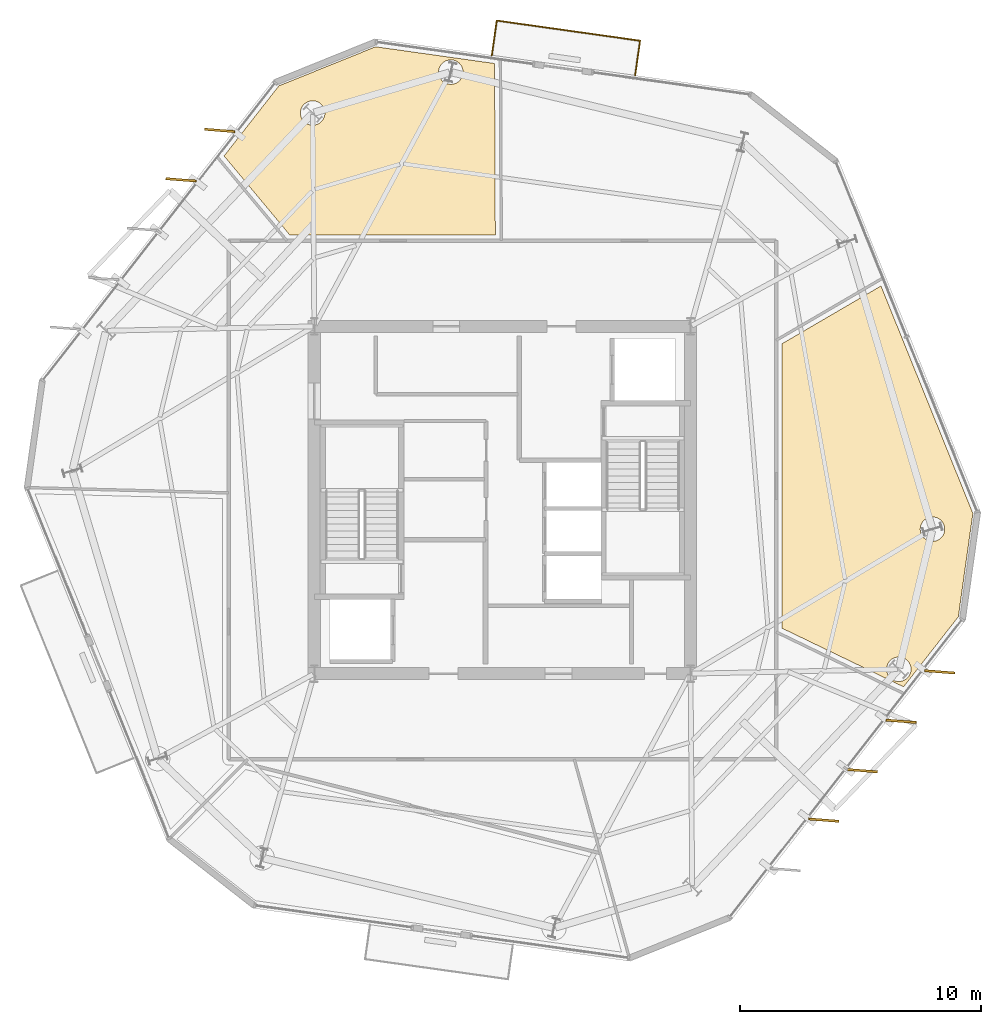
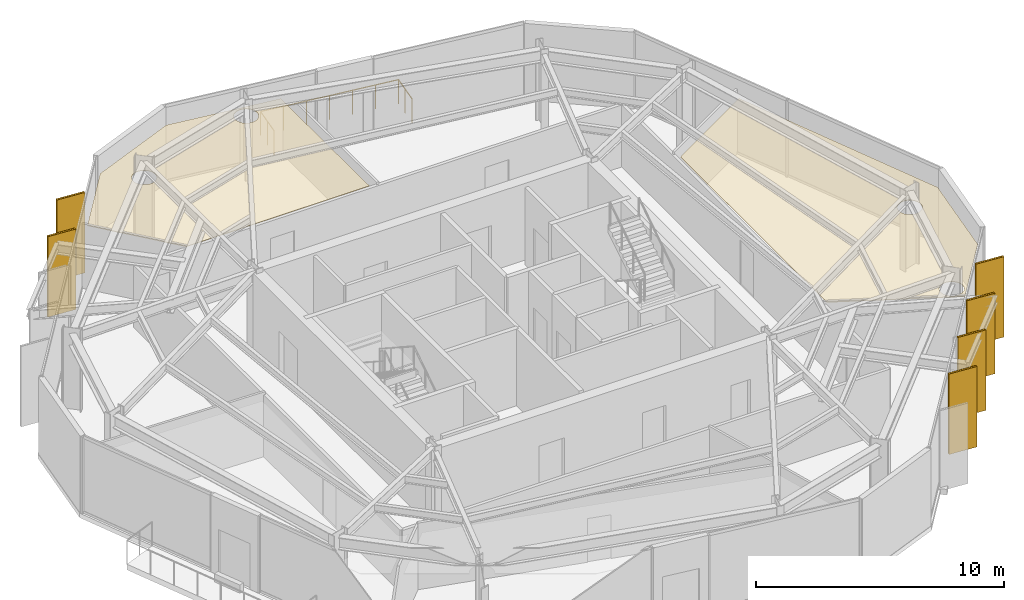
# One storey, part 11 of 11: 8 coverings, 6 shading devices, 1 railing.
"""IFC4 building model written with IfcOpenShell, lengths in metres."""

from ifc_helpers import new_model, si_unit, direction, frame, origin, origin_2d, place, context, subcontext, project, spatial, polyline, rectangle, circle, outline, extrude, material, layer, layer_set, type_object, element, save


model = new_model("IFC4")

# Units and contexts
model_context = context("Model", 3, precision=1e-05, world=origin(), true_north=direction((0.0, 1.0)))
body_context = subcontext(model_context, "Body", "Model", "MODEL_VIEW")
ifc_project = project(units=[si_unit("LENGTHUNIT", "METRE"), si_unit("AREAUNIT", "SQUARE_METRE"), si_unit("VOLUMEUNIT", "CUBIC_METRE"), si_unit("PLANEANGLEUNIT", "RADIAN"), si_unit("MASSUNIT", "GRAM", prefix="KILO")], contexts=[model_context])

# Site, building, storey
site_placement = place(None, origin())
site = spatial("IfcSite", under=ifc_project, at=site_placement, CompositionType="ELEMENT")
building_placement = place(site_placement, origin())
building = spatial("IfcBuilding", under=site, at=building_placement, Name="Kranzbogen Civic Tower", CompositionType="ELEMENT")
storey_placement = place(building_placement, frame((0.0, 0.0, 232.800048828125)))
storey = spatial("IfcBuildingStorey", under=building, at=storey_placement, Name="L56", CompositionType="ELEMENT", Elevation=232.800048828125)

# Coverings
ifc_material_1 = material(Name="Pale Anodised Aluminium", Category="aluminium")
ifc_layer_1 = layer(ifc_material_1, 0.02490234375, Name="Pale Anodised Aluminium")
ifc_layer_set_1 = layer_set([ifc_layer_1], Name="Pale Anodised Aluminium")
covering_type_1 = type_object("IfcCoveringType", Name="Anodised Aluminium Vertical Fin Cladding 25 mm", PredefinedType="CLADDING", material=ifc_layer_set_1)
for number, where, z_axis, x_axis, name in (
    (1, (13.27587890625, 40.321044921875, -0.14013671875), (0.0, 0.0, 1.0), (-0.996963716769, 0.077867499294, 0.0), "L56 vertical fin pale-metal cladding F2-1"),
    (2, (11.675048828125, 38.27197265625, -0.14013671875), (0.0, 0.0, 1.0), (-0.996963716769, 0.077867499294, 0.0), "L56 vertical fin pale-metal cladding F2-2"),
    (3, (38.324951171875, 11.72802734375, -0.14013671875), (0.0, 0.0, 1.0), (0.996963716769, -0.077867499294, 0.0), "L56 vertical fin pale-metal cladding F5-2"),
    (4, (39.925048828125, 13.777099609375, -0.14013671875), (0.0, 0.0, 1.0), (0.996963716769, -0.077867499294, 0.0), "L56 vertical fin pale-metal cladding F5-3"),
    (5, (41.52587890625, 15.825927734375, -0.14013671875), (0.0, 0.0, 1.0), (0.996963716769, -0.077867499294, 0.0), "L56 vertical fin pale-metal cladding F5-4"),
    (6, (43.126953125, 17.875, -0.14013671875), (0.0, 0.0, 1.0), (0.996963716769, -0.077867499294, 0.0), "L56 vertical fin pale-metal cladding F5-5"),
):
    element("IfcCovering", number, at=place(storey_placement, frame(where, z_axis=z_axis, x_axis=x_axis)), inside=storey, type_object=covering_type_1, Name=name, PredefinedType="CLADDING", context=body_context, shape_type="SweptSolid", body=[
        extrude(rectangle(XDim=1.25, YDim=0.10009765625, at=origin_2d()), origin(), (0.0, 0.0, 1.0), 3.9599609375),
    ])

# Shading devices
ifc_material_2 = material(Name="Anodised Bronze Aluminium", Category="aluminium")
shading_device_type = type_object("IfcShadingDeviceType", Name="Anodised Bronze Vertical Facade Fin 1250x80", PredefinedType="USERDEFINED", material=ifc_material_2)
for number, where, z_axis, x_axis, name in (
    (7, (13.27587890625, 40.321044921875, -0.14013671875), (0.0, 0.0, 1.0), (-0.996963716769, 0.077867499294, 0.0), "L56 vertical exterior shading fin F2-1"),
    (8, (11.675048828125, 38.27197265625, -0.14013671875), (0.0, 0.0, 1.0), (-0.996963716769, 0.077867499294, 0.0), "L56 vertical exterior shading fin F2-2"),
    (9, (38.324951171875, 11.72802734375, -0.14013671875), (0.0, 0.0, 1.0), (0.996963716769, -0.077867499294, 0.0), "L56 vertical exterior shading fin F5-2"),
    (10, (39.925048828125, 13.777099609375, -0.14013671875), (0.0, 0.0, 1.0), (0.996963716769, -0.077867499294, 0.0), "L56 vertical exterior shading fin F5-3"),
    (11, (41.52587890625, 15.825927734375, -0.14013671875), (0.0, 0.0, 1.0), (0.996963716769, -0.077867499294, 0.0), "L56 vertical exterior shading fin F5-4"),
    (12, (43.126953125, 17.875, -0.14013671875), (0.0, 0.0, 1.0), (0.996963716769, -0.077867499294, 0.0), "L56 vertical exterior shading fin F5-5"),
):
    element("IfcShadingDevice", number, at=place(storey_placement, frame(where, z_axis=z_axis, x_axis=x_axis)), inside=storey, type_object=shading_device_type, Name=name, ObjectType="FIN", PredefinedType="USERDEFINED", context=body_context, shape_type="SweptSolid", body=[
        extrude(rectangle(XDim=1.25, YDim=0.080078125, at=origin_2d()), origin(), (0.0, 0.0, 1.0), 3.9599609375),
    ])

# Railing
railing_type = type_object("IfcRailingType", Name="Cantilevered Balcony Glass and Bronze Balustrade 1200", PredefinedType="BALUSTRADE", material=ifc_material_2)
railing_placement = place(storey_placement, frame((30.50390625, 42.60498046875, 0.0)))
element("IfcRailing", 13, at=railing_placement, inside=storey, type_object=railing_type, Name="L56 exterior terrace balustrade L56-TB1", PredefinedType="BALUSTRADE", context=body_context, shape_type="SweptSolid", body=[
    extrude(circle(Radius=0.02392578125, at=origin_2d()), frame((0.0, 0.0, 1.17578125), z_axis=(0.139394121125, 0.99023698123, 0.0), x_axis=(-0.99023698123, 0.139394121125, 0.0)), (0.0, 0.0, 1.0), 1.4501953125),
    extrude(circle(Radius=0.02392578125, at=origin_2d()), frame((0.2021484375, 1.43603515625, 1.17578125), z_axis=(-0.990271563932, 0.139148229124, 0.0), x_axis=(-0.139148229124, -0.990271563932, 0.0)), (0.0, 0.0, 1.0), 6.00048828125),
    extrude(circle(Radius=0.02392578125, at=origin_2d()), frame((-5.739990234375, 2.27099609375, 1.17578125), z_axis=(-0.139229036098, -0.99026020596, 0.0), x_axis=(0.99026020596, -0.139229036098, 0.0)), (0.0, 0.0, 1.0), 1.4501953125),
    extrude(circle(Radius=0.02099609375, at=origin_2d()), origin(), (0.0, 0.0, 1.0), 1.15185546875),
    extrude(circle(Radius=0.02099609375, at=origin_2d()), frame((0.10107421875, 0.718017578125, 0.0)), (0.0, 0.0, 1.0), 1.15185546875),
    extrude(circle(Radius=0.02099609375, at=origin_2d()), frame((0.2021484375, 1.43603515625, 0.0)), (0.0, 0.0, 1.0), 1.15185546875),
    extrude(circle(Radius=0.02099609375, at=origin_2d()), frame((-0.7880859375, 1.5751953125, 0.0)), (0.0, 0.0, 1.0), 1.15185546875),
    extrude(circle(Radius=0.02099609375, at=origin_2d()), frame((-1.778564453125, 1.71435546875, 0.0)), (0.0, 0.0, 1.0), 1.15185546875),
    extrude(circle(Radius=0.02099609375, at=origin_2d()), frame((-2.76904296875, 1.853515625, 0.0)), (0.0, 0.0, 1.0), 1.15185546875),
    extrude(circle(Radius=0.02099609375, at=origin_2d()), frame((-3.75927734375, 1.99267578125, 0.0)), (0.0, 0.0, 1.0), 1.15185546875),
    extrude(circle(Radius=0.02099609375, at=origin_2d()), frame((-4.74951171875, 2.1318359375, 0.0)), (0.0, 0.0, 1.0), 1.15185546875),
    extrude(circle(Radius=0.02099609375, at=origin_2d()), frame((-5.739990234375, 2.27099609375, 0.0)), (0.0, 0.0, 1.0), 1.15185546875),
    extrude(circle(Radius=0.02099609375, at=origin_2d()), frame((-5.8408203125, 1.552978515625, 0.0)), (0.0, 0.0, 1.0), 1.15185546875),
    extrude(circle(Radius=0.02099609375, at=origin_2d()), frame((-5.94189453125, 0.8349609375, 0.0)), (0.0, 0.0, 1.0), 1.15185546875),
])

# Coverings
ifc_material_3 = material(Name="Perforated Acoustic Gypsum Ceiling")
ifc_layer_2 = layer(ifc_material_3, 0.02490234375, Name="Perforated Acoustic Gypsum Ceiling")
ifc_layer_set_2 = layer_set([ifc_layer_2], Name="Perforated Acoustic Gypsum Ceiling")
covering_type_2 = type_object("IfcCoveringType", Name="Perforated Acoustic Mineral Ceiling Tile 25 mm", PredefinedType="CEILING", material=ifc_layer_set_2)
covering_1_placement = place(storey_placement, frame((0.0, 0.0, 2.89990234375)))
element("IfcCovering", 14, at=covering_1_placement, inside=storey, type_object=covering_type_2, Name="L56 Central Mail Post Room acoustic ceiling", PredefinedType="CEILING", context=body_context, shape_type="SweptSolid", body=[
    extrude(outline(polyline([(43.90087890625, 20.158935546875), (41.631103515625, 17.25390625), (36.594970703125, 19.681884765625), (36.594970703125, 31.48095703125), (40.694091796875, 33.873046875), (44.50390625, 24.443115234375), (43.90087890625, 20.158935546875)]), holes=[polyline([(41.902099609375, 17.7900390625), (41.8798828125, 17.7451171875), (41.85498046875, 17.701904296875), (41.824951171875, 17.662109375), (41.7919921875, 17.625), (41.7548828125, 17.592041015625), (41.715087890625, 17.56201171875), (41.672119140625, 17.537109375), (41.626953125, 17.514892578125), (41.580078125, 17.4990234375), (41.531982421875, 17.487060546875), (41.48291015625, 17.47900390625), (41.43310546875, 17.47705078125), (41.383056640625, 17.47900390625), (41.333984375, 17.487060546875), (41.285888671875, 17.4990234375), (41.239013671875, 17.514892578125), (41.194091796875, 17.537109375), (41.15087890625, 17.56201171875), (41.111083984375, 17.592041015625), (41.073974609375, 17.625), (41.041015625, 17.662109375), (41.010986328125, 17.701904296875), (40.986083984375, 17.7451171875), (40.964111328125, 17.7900390625), (40.947998046875, 17.8369140625), (40.93603515625, 17.885009765625), (40.927978515625, 17.93408203125), (40.926025390625, 17.98388671875), (40.927978515625, 18.033935546875), (40.93603515625, 18.0830078125), (40.947998046875, 18.131103515625), (40.964111328125, 18.177978515625), (40.986083984375, 18.222900390625), (41.010986328125, 18.26611328125), (41.041015625, 18.305908203125), (41.073974609375, 18.343017578125), (41.111083984375, 18.3759765625), (41.15087890625, 18.406005859375), (41.194091796875, 18.430908203125), (41.239013671875, 18.452880859375), (41.285888671875, 18.468994140625), (41.333984375, 18.48095703125), (41.383056640625, 18.489013671875), (41.43310546875, 18.490966796875), (41.48291015625, 18.489013671875), (41.531982421875, 18.48095703125), (41.580078125, 18.468994140625), (41.626953125, 18.452880859375), (41.672119140625, 18.430908203125), (41.715087890625, 18.406005859375), (41.7548828125, 18.3759765625), (41.7919921875, 18.343017578125), (41.824951171875, 18.305908203125), (41.85498046875, 18.26611328125), (41.8798828125, 18.222900390625), (41.902099609375, 18.177978515625), (41.91796875, 18.131103515625), (41.929931640625, 18.0830078125), (41.93798828125, 18.033935546875), (41.93994140625, 17.98388671875), (41.93798828125, 17.93408203125), (41.929931640625, 17.885009765625), (41.91796875, 17.8369140625), (41.902099609375, 17.7900390625)]), polyline([(43.297119140625, 23.596923828125), (43.27490234375, 23.552001953125), (43.25, 23.509033203125), (43.219970703125, 23.468994140625), (43.18701171875, 23.431884765625), (43.14990234375, 23.39892578125), (43.110107421875, 23.368896484375), (43.06689453125, 23.343994140625), (43.02197265625, 23.322021484375), (42.97509765625, 23.305908203125), (42.927001953125, 23.2939453125), (42.8779296875, 23.285888671875), (42.827880859375, 23.283935546875), (42.778076171875, 23.285888671875), (42.72900390625, 23.2939453125), (42.680908203125, 23.305908203125), (42.634033203125, 23.322021484375), (42.589111328125, 23.343994140625), (42.5458984375, 23.368896484375), (42.506103515625, 23.39892578125), (42.468994140625, 23.431884765625), (42.43603515625, 23.468994140625), (42.406005859375, 23.509033203125), (42.381103515625, 23.552001953125), (42.35888671875, 23.596923828125), (42.343017578125, 23.64404296875), (42.3310546875, 23.69189453125), (42.322998046875, 23.740966796875), (42.321044921875, 23.791015625), (42.322998046875, 23.841064453125), (42.3310546875, 23.889892578125), (42.343017578125, 23.93798828125), (42.35888671875, 23.985107421875), (42.381103515625, 24.030029296875), (42.406005859375, 24.072998046875), (42.43603515625, 24.113037109375), (42.468994140625, 24.14990234375), (42.506103515625, 24.18310546875), (42.5458984375, 24.212890625), (42.589111328125, 24.238037109375), (42.634033203125, 24.260009765625), (42.680908203125, 24.27587890625), (42.72900390625, 24.2880859375), (42.778076171875, 24.2958984375), (42.827880859375, 24.298095703125), (42.8779296875, 24.2958984375), (42.927001953125, 24.2880859375), (42.97509765625, 24.27587890625), (43.02197265625, 24.260009765625), (43.06689453125, 24.238037109375), (43.110107421875, 24.212890625), (43.14990234375, 24.18310546875), (43.18701171875, 24.14990234375), (43.219970703125, 24.113037109375), (43.25, 24.072998046875), (43.27490234375, 24.030029296875), (43.297119140625, 23.985107421875), (43.31298828125, 23.93798828125), (43.324951171875, 23.889892578125), (43.3330078125, 23.841064453125), (43.3349609375, 23.791015625), (43.3330078125, 23.740966796875), (43.324951171875, 23.69189453125), (43.31298828125, 23.64404296875), (43.297119140625, 23.596923828125)])]), origin(), (0.0, 0.0, 1.0), 0.025146484375),
])
covering_2_placement = place(storey_placement, frame((0.0, 0.0, 2.89990234375)))
element("IfcCovering", 15, at=covering_2_placement, inside=storey, type_object=covering_type_2, Name="L56 Staff Tea Pantry acoustic ceiling", PredefinedType="CEILING", context=body_context, shape_type="SweptSolid", body=[
    extrude(outline(polyline([(19.740966796875, 43.7900390625), (24.673095703125, 43.096923828125), (24.705078125, 35.9951171875), (16.177001953125, 35.9951171875), (13.4599609375, 39.262939453125), (15.73095703125, 42.1689453125), (19.740966796875, 43.7900390625)]), holes=[polyline([(17.60205078125, 40.85009765625), (17.580078125, 40.804931640625), (17.554931640625, 40.761962890625), (17.52490234375, 40.721923828125), (17.491943359375, 40.68505859375), (17.455078125, 40.652099609375), (17.4150390625, 40.6220703125), (17.3720703125, 40.596923828125), (17.326904296875, 40.574951171875), (17.280029296875, 40.55908203125), (17.23193359375, 40.547119140625), (17.18310546875, 40.5390625), (17.133056640625, 40.537109375), (17.0830078125, 40.5390625), (17.033935546875, 40.547119140625), (16.986083984375, 40.55908203125), (16.93896484375, 40.574951171875), (16.89404296875, 40.596923828125), (16.85107421875, 40.6220703125), (16.81103515625, 40.652099609375), (16.77392578125, 40.68505859375), (16.740966796875, 40.721923828125), (16.7109375, 40.761962890625), (16.68603515625, 40.804931640625), (16.6640625, 40.85009765625), (16.64794921875, 40.89697265625), (16.635986328125, 40.945068359375), (16.6279296875, 40.993896484375), (16.6259765625, 41.0439453125), (16.6279296875, 41.093994140625), (16.635986328125, 41.14306640625), (16.64794921875, 41.19091796875), (16.6640625, 41.238037109375), (16.68603515625, 41.282958984375), (16.7109375, 41.325927734375), (16.740966796875, 41.365966796875), (16.77392578125, 41.403076171875), (16.81103515625, 41.43603515625), (16.85107421875, 41.466064453125), (16.89404296875, 41.490966796875), (16.93896484375, 41.512939453125), (16.986083984375, 41.529052734375), (17.033935546875, 41.541015625), (17.0830078125, 41.549072265625), (17.133056640625, 41.551025390625), (17.18310546875, 41.549072265625), (17.23193359375, 41.541015625), (17.280029296875, 41.529052734375), (17.326904296875, 41.512939453125), (17.3720703125, 41.490966796875), (17.4150390625, 41.466064453125), (17.455078125, 41.43603515625), (17.491943359375, 41.403076171875), (17.52490234375, 41.365966796875), (17.554931640625, 41.325927734375), (17.580078125, 41.282958984375), (17.60205078125, 41.238037109375), (17.617919921875, 41.19091796875), (17.6298828125, 41.14306640625), (17.637939453125, 41.093994140625), (17.639892578125, 41.0439453125), (17.637939453125, 40.993896484375), (17.6298828125, 40.945068359375), (17.617919921875, 40.89697265625), (17.60205078125, 40.85009765625)]), polyline([(23.3291015625, 42.5458984375), (23.306884765625, 42.5009765625), (23.281982421875, 42.4580078125), (23.251953125, 42.41796875), (23.218994140625, 42.381103515625), (23.181884765625, 42.347900390625), (23.14208984375, 42.318115234375), (23.09912109375, 42.29296875), (23.053955078125, 42.27099609375), (23.007080078125, 42.2548828125), (22.958984375, 42.242919921875), (22.909912109375, 42.235107421875), (22.860107421875, 42.23291015625), (22.81005859375, 42.235107421875), (22.760986328125, 42.242919921875), (22.712890625, 42.2548828125), (22.666015625, 42.27099609375), (22.62109375, 42.29296875), (22.577880859375, 42.318115234375), (22.5380859375, 42.347900390625), (22.5009765625, 42.381103515625), (22.468017578125, 42.41796875), (22.43798828125, 42.4580078125), (22.4130859375, 42.5009765625), (22.39111328125, 42.5458984375), (22.375, 42.593017578125), (22.363037109375, 42.64111328125), (22.35498046875, 42.68994140625), (22.35302734375, 42.739990234375), (22.35498046875, 42.7900390625), (22.363037109375, 42.839111328125), (22.375, 42.886962890625), (22.39111328125, 42.93408203125), (22.4130859375, 42.97900390625), (22.43798828125, 43.02197265625), (22.468017578125, 43.06201171875), (22.5009765625, 43.09912109375), (22.5380859375, 43.132080078125), (22.577880859375, 43.162109375), (22.62109375, 43.18701171875), (22.666015625, 43.208984375), (22.712890625, 43.22509765625), (22.760986328125, 43.237060546875), (22.81005859375, 43.2451171875), (22.860107421875, 43.2470703125), (22.909912109375, 43.2451171875), (22.958984375, 43.237060546875), (23.007080078125, 43.22509765625), (23.053955078125, 43.208984375), (23.09912109375, 43.18701171875), (23.14208984375, 43.162109375), (23.181884765625, 43.132080078125), (23.218994140625, 43.09912109375), (23.251953125, 43.06201171875), (23.281982421875, 43.02197265625), (23.306884765625, 42.97900390625), (23.3291015625, 42.93408203125), (23.344970703125, 42.886962890625), (23.35693359375, 42.839111328125), (23.364990234375, 42.7900390625), (23.366943359375, 42.739990234375), (23.364990234375, 42.68994140625), (23.35693359375, 42.64111328125), (23.344970703125, 42.593017578125), (23.3291015625, 42.5458984375)])]), origin(), (0.0, 0.0, 1.0), 0.025146484375),
])

save(model, "model.ifc")
